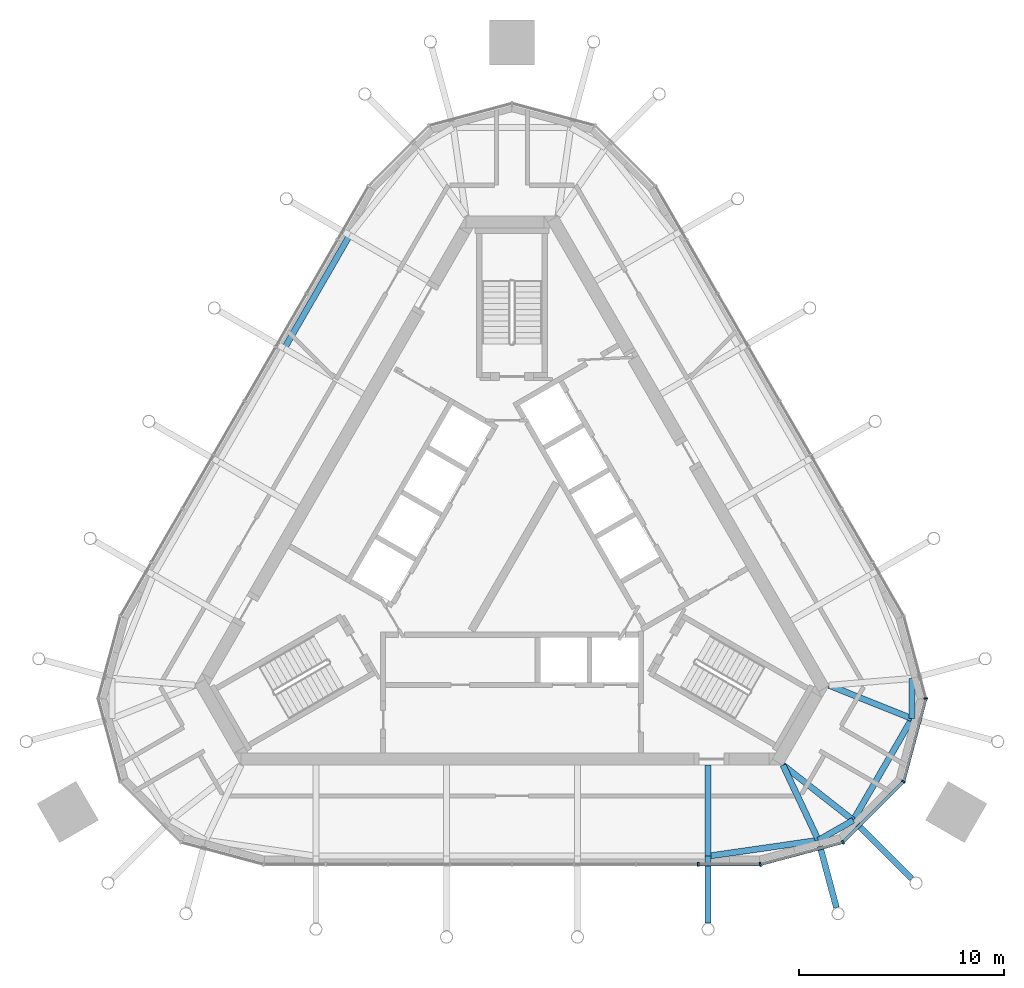
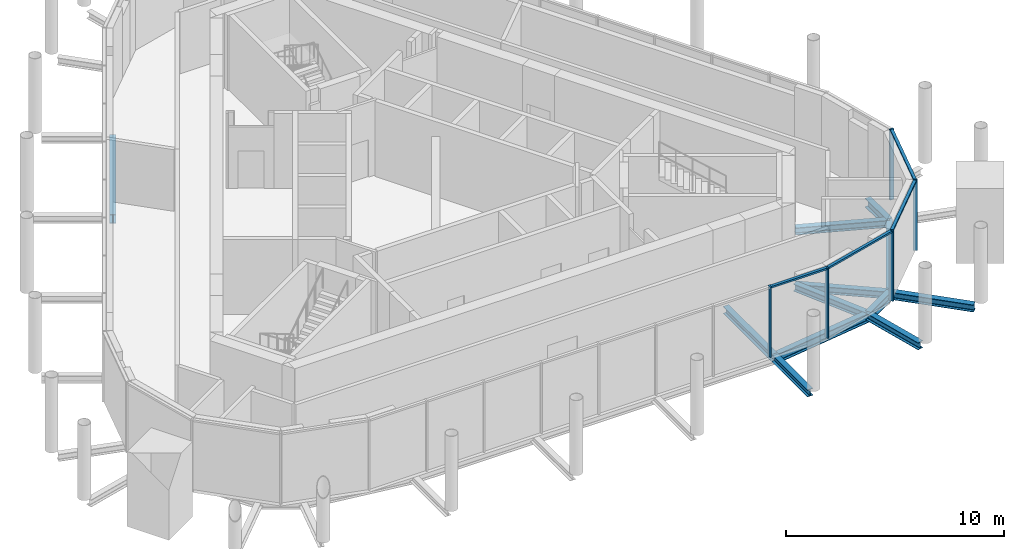
# One storey, part 3 of 11: 12 beams, 9 members, 2 elements without a shape of their own.
"""IFC4 building model written with IfcOpenShell, lengths in metres."""

from ifc_helpers import new_model, si_unit, direction, frame, origin, origin_2d, place, context, subcontext, project, spatial, rectangle, i_section, extrude, material, material_profile, profile_set, type_object, element, aggregate, save


model = new_model("IFC4")

# Units and contexts
model_context = context("Model", 3, precision=1e-05, world=origin(), true_north=direction((0.0, 1.0)))
body_context = subcontext(model_context, "Body", "Model", "MODEL_VIEW")
ifc_project = project(units=[si_unit("LENGTHUNIT", "METRE"), si_unit("AREAUNIT", "SQUARE_METRE"), si_unit("VOLUMEUNIT", "CUBIC_METRE"), si_unit("PLANEANGLEUNIT", "RADIAN"), si_unit("MASSUNIT", "GRAM", prefix="KILO")], contexts=[model_context])

# Site, building, storey
site_placement = place(None, origin())
site = spatial("IfcSite", under=ifc_project, at=site_placement, CompositionType="ELEMENT")
building_placement = place(site_placement, origin())
building = spatial("IfcBuilding", under=site, at=building_placement, Name="Mestral Congress Tower", CompositionType="ELEMENT")
storey_placement = place(building_placement, frame((0.0, 0.0, 340.199951171875)))
storey = spatial("IfcBuildingStorey", under=building, at=storey_placement, Name="L79", CompositionType="ELEMENT", Elevation=340.199951171875)

# Curtain wall, members
ifc_material_1 = material(Name="Glazed ceramic", Category="masonry")
curtain_wall_type = type_object("IfcCurtainWallType", Name="Facade plant louvre screen", PredefinedType="USERDEFINED", material=ifc_material_1)
placement = place(storey_placement, origin())
curtain_wall_1 = element("IfcCurtainWall", 1, at=placement, inside=storey, type_object=curtain_wall_type, Name="Plant louvre screen corner 1", ObjectType="CURTAIN WALL", PredefinedType="USERDEFINED")
ifc_material_2 = material(Name="Anodised aluminium", Category="aluminium")
ifc_material_profile_1 = material_profile(ifc_material_2, rectangle(XDim=0.199951171875, YDim=0.080078125, at=origin_2d()), Name="CW6 mullion 200 x 80")
ifc_profile_set_1 = profile_set([ifc_material_profile_1], Name="Anodised aluminium")
member_type_1 = type_object("IfcMemberType", Name="Facade plant louvre screen mullion", PredefinedType="MULLION", material=ifc_profile_set_1)
member_1_placement = place(storey_placement, frame((12.1376953125, -15.10009765625, 0.0), z_axis=(0.0, 0.0, 1.0), x_axis=(0.258819045103, -0.965925826289, 0.0)))
member_1 = element("IfcMember", 2, at=member_1_placement, type_object=member_type_1, Name="Facade plant louvre screen mullion", PredefinedType="MULLION", context=body_context, shape_type="SweptSolid", body=[
    extrude(rectangle(XDim=0.199951171875, YDim=0.080078125, at=origin_2d()), origin(), (0.0, 0.0, 1.0), 3.949951171875),
])
member_2_placement = place(storey_placement, frame((16.17626953125, -14.017822265625, 0.0), z_axis=(0.0, 0.0, 1.0), x_axis=(0.5, -0.866025403784, 0.0)))
member_2 = element("IfcMember", 3, at=member_2_placement, type_object=member_type_1, Name="Facade plant louvre screen mullion", PredefinedType="MULLION", context=body_context, shape_type="SweptSolid", body=[
    extrude(rectangle(XDim=0.199951171875, YDim=0.080078125, at=origin_2d()), origin(), (0.0, 0.0, 1.0), 3.949951171875),
])
member_3_placement = place(storey_placement, frame((19.142333984375, -11.0517578125, 0.0), z_axis=(0.0, 0.0, 1.0), x_axis=(0.866025403784, -0.5, 0.0)))
member_3 = element("IfcMember", 4, at=member_3_placement, type_object=member_type_1, Name="Facade plant louvre screen mullion", PredefinedType="MULLION", context=body_context, shape_type="SweptSolid", body=[
    extrude(rectangle(XDim=0.199951171875, YDim=0.080078125, at=origin_2d()), origin(), (0.0, 0.0, 1.0), 3.949951171875),
])
member_4_placement = place(storey_placement, frame((20.227783203125, -7.0, 0.0), z_axis=(0.0, 0.0, 1.0), x_axis=(1.0, 0.0, 0.0)))
member_4 = element("IfcMember", 5, at=member_4_placement, type_object=member_type_1, Name="Facade plant louvre screen mullion", PredefinedType="MULLION", context=body_context, shape_type="SweptSolid", body=[
    extrude(rectangle(XDim=0.199951171875, YDim=0.080078125, at=origin_2d()), origin(), (0.0, 0.0, 1.0), 3.949951171875),
])

# Curtain wall, member
curtain_wall_2 = element("IfcCurtainWall", 6, at=placement, inside=storey, type_object=curtain_wall_type, Name="Plant louvre screen side 6", ObjectType="CURTAIN WALL", PredefinedType="USERDEFINED")
member_5_placement = place(storey_placement, frame((9.103271484375, -15.10009765625, 0.0), z_axis=(0.0, 0.0, 1.0), x_axis=(0.0, -1.0, 0.0)))
member_5 = element("IfcMember", 7, at=member_5_placement, type_object=member_type_1, Name="Facade plant louvre screen mullion", PredefinedType="MULLION", context=body_context, shape_type="SweptSolid", body=[
    extrude(rectangle(XDim=0.199951171875, YDim=0.080078125, at=origin_2d()), origin(), (0.0, 0.0, 1.0), 3.949951171875),
])

# Member
ifc_material_profile_2 = material_profile(ifc_material_2, rectangle(XDim=0.14990234375, YDim=0.10009765625, at=origin_2d()), Name="CW6 transom 150 x 100")
ifc_profile_set_2 = profile_set([ifc_material_profile_2], Name="Anodised aluminium")
member_type_2 = type_object("IfcMemberType", Name="Facade plant louvre screen transom", PredefinedType="USERDEFINED", material=ifc_profile_set_2)
member_6_placement = place(storey_placement, frame((12.17626953125, -15.089599609375, 3.900146484375), z_axis=(0.965932905177, 0.258792624888, 0.0), x_axis=(-0.258792624888, 0.965932905177, 0.0)))
member_6 = element("IfcMember", 8, at=member_6_placement, type_object=member_type_2, Name="Facade plant louvre screen transom", ObjectType="TRANSOM", PredefinedType="USERDEFINED", context=body_context, shape_type="SweptSolid", body=[
    extrude(rectangle(XDim=0.14990234375, YDim=0.10009765625, at=origin_2d()), origin(), (0.0, 0.0, 1.0), 4.100830078125),
])

member_7_placement = place(storey_placement, frame((16.204345703125, -13.989501953125, 3.900146484375), z_axis=(0.707136447306, 0.707077113823, 0.0), x_axis=(-0.707077113823, 0.707136447306, 0.0)))
member_7 = element("IfcMember", 9, at=member_7_placement, type_object=member_type_2, Name="Facade plant louvre screen transom", ObjectType="TRANSOM", PredefinedType="USERDEFINED", context=body_context, shape_type="SweptSolid", body=[
    extrude(rectangle(XDim=0.14990234375, YDim=0.10009765625, at=origin_2d()), origin(), (0.0, 0.0, 1.0), 4.11474609375),
])

member_8_placement = place(storey_placement, frame((19.152587890625, -11.01318359375, 3.900146484375), z_axis=(0.258807262034, 0.965928983476, 0.0), x_axis=(-0.965928983476, 0.258807262034, 0.0)))
member_8 = element("IfcMember", 10, at=member_8_placement, type_object=member_type_2, Name="Facade plant louvre screen transom", ObjectType="TRANSOM", PredefinedType="USERDEFINED", context=body_context, shape_type="SweptSolid", body=[
    extrude(rectangle(XDim=0.14990234375, YDim=0.10009765625, at=origin_2d()), origin(), (0.0, 0.0, 1.0), 4.11474609375),
])

aggregate(curtain_wall_1, [member_1, member_2, member_3, member_4, member_6, member_7, member_8])

member_9_placement = place(storey_placement, frame((9.143310546875, -15.10009765625, 3.900146484375), z_axis=(1.0, 0.0, 0.0), x_axis=(0.0, 1.0, 0.0)))
member_9 = element("IfcMember", 11, at=member_9_placement, type_object=member_type_2, Name="Facade plant louvre screen transom", ObjectType="TRANSOM", PredefinedType="USERDEFINED", context=body_context, shape_type="SweptSolid", body=[
    extrude(rectangle(XDim=0.14990234375, YDim=0.10009765625, at=origin_2d()), origin(), (0.0, 0.0, 1.0), 2.954345703125),
])

aggregate(curtain_wall_2, [member_5, member_9])

# Beams
ifc_material_3 = material(Name="Steel S355", Category="steel")
ifc_material_profile_3 = material_profile(ifc_material_3, i_section(OverallWidth=0.300048828125, OverallDepth=0.39990234375, WebThickness=0.013427734375, FlangeThickness=0.02392578125, FilletRadius=0.027099609375, at=origin_2d()), Name="HEB 400")
ifc_profile_set_3 = profile_set([ifc_material_profile_3], Name="Steel S355")
beam_type_1 = type_object("IfcBeamType", Name="Floor beam HEB 400 S355", PredefinedType="BEAM", material=ifc_profile_set_3)
beam_1_placement = place(storey_placement, frame((9.587158203125, -10.25, -0.449951171875), z_axis=(0.0, -1.0, 0.0), x_axis=(1.0, 0.0, 0.0)))
element("IfcBeam", 12, at=beam_1_placement, inside=storey, type_object=beam_type_1, Name="BM-L79-KR00", PredefinedType="BEAM", context=body_context, shape_type="SweptSolid", body=[
    extrude(i_section(OverallWidth=0.300048828125, OverallDepth=0.39990234375, WebThickness=0.013427734375, FlangeThickness=0.02392578125, FilletRadius=0.027099609375, at=origin_2d()), origin(), (0.0, 0.0, 1.0), 4.449951171875),
])
for number, where, z_axis, x_axis, name in (
    (13, (15.501953125, -6.35009765625, -0.449951171875), (0.928078801871, -0.372383857757, 0.0), (0.372383857757, 0.928078801871, 0.0), "BM-L79-KR21"),
    (14, (13.250244140625, -10.25, -0.449951171875), (0.786533746493, -0.617547298292, 0.0), (0.617547298292, 0.786533746493, 0.0), "BM-L79-KR22"),
):
    element("IfcBeam", number, at=place(storey_placement, frame(where, z_axis=z_axis, x_axis=x_axis)), inside=storey, type_object=beam_type_1, Name=name, PredefinedType="BEAM", context=body_context, shape_type="SweptSolid", body=[
        extrude(i_section(OverallWidth=0.300048828125, OverallDepth=0.39990234375, WebThickness=0.013427734375, FlangeThickness=0.02392578125, FilletRadius=0.027099609375, at=origin_2d()), origin(), (0.0, 0.0, 1.0), 4.364501953125),
    ])
beam_2_placement = place(storey_placement, frame((13.250244140625, -10.25, -0.449951171875), z_axis=(0.425828884258, -0.904803714256, 0.0), x_axis=(0.904803714256, 0.425828884258, 0.0)))
element("IfcBeam", 15, at=beam_2_placement, inside=storey, type_object=beam_type_1, Name="BM-L79-KR23", PredefinedType="BEAM", context=body_context, shape_type="SweptSolid", body=[
    extrude(i_section(OverallWidth=0.300048828125, OverallDepth=0.39990234375, WebThickness=0.013427734375, FlangeThickness=0.02392578125, FilletRadius=0.027099609375, at=origin_2d()), origin(), (0.0, 0.0, 1.0), 4.060791015625),
])
beam_3_placement = place(storey_placement, frame((9.587158203125, -17.96875, -0.449951171875), z_axis=(0.0, 1.0, 0.0), x_axis=(-1.0, 0.0, 0.0)))
element("IfcBeam", 16, at=beam_3_placement, inside=storey, type_object=beam_type_1, Name="BM-L79-KT-C5-S04", PredefinedType="BEAM", context=body_context, shape_type="SweptSolid", body=[
    extrude(i_section(OverallWidth=0.300048828125, OverallDepth=0.39990234375, WebThickness=0.013427734375, FlangeThickness=0.02392578125, FilletRadius=0.027099609375, at=origin_2d()), origin(), (0.0, 0.0, 1.0), 3.268798828125),
])
beam_4_placement = place(storey_placement, frame((19.538818359375, -15.80078125, -0.449951171875), z_axis=(-0.707137007821, 0.70707655326, 0.0), x_axis=(-0.70707655326, -0.707137007821, 0.0)))
element("IfcBeam", 17, at=beam_4_placement, inside=storey, type_object=beam_type_1, Name="BM-L79-KT-C5-SE1", PredefinedType="BEAM", context=body_context, shape_type="SweptSolid", body=[
    extrude(i_section(OverallWidth=0.300048828125, OverallDepth=0.39990234375, WebThickness=0.013427734375, FlangeThickness=0.02392578125, FilletRadius=0.027099609375, at=origin_2d()), origin(), (0.0, 0.0, 1.0), 4.038330078125),
])
beam_5_placement = place(storey_placement, frame((15.86181640625, -17.21728515625, -0.449951171875), z_axis=(-0.258812449793, 0.965927593473, 0.0), x_axis=(-0.965927593473, -0.258812449793, 0.0)))
element("IfcBeam", 18, at=beam_5_placement, inside=storey, type_object=beam_type_1, Name="BM-L79-KT-C5-S05", PredefinedType="BEAM", context=body_context, shape_type="SweptSolid", body=[
    extrude(i_section(OverallWidth=0.300048828125, OverallDepth=0.39990234375, WebThickness=0.013427734375, FlangeThickness=0.02392578125, FilletRadius=0.027099609375, at=origin_2d()), origin(), (0.0, 0.0, 1.0), 3.4091796875),
])
ifc_material_profile_4 = material_profile(ifc_material_3, i_section(OverallWidth=0.300048828125, OverallDepth=0.5, WebThickness=0.014404296875, FlangeThickness=0.028076171875, FilletRadius=0.027099609375, at=origin_2d()), Name="HEB 500")
ifc_profile_set_4 = profile_set([ifc_material_profile_4], Name="Steel S355")
beam_type_2 = type_object("IfcBeamType", Name="Floor beam HEB 500 S355", PredefinedType="BEAM", material=ifc_profile_set_4)
beam_6_placement = place(storey_placement, frame((-11.130859375, 10.120849609375, -0.5), z_axis=(0.500011397576, 0.866018823291, 0.0), x_axis=(-0.866018823291, 0.500011397576, 0.0)))
element("IfcBeam", 19, at=beam_6_placement, inside=storey, type_object=beam_type_2, Name="BM-L79-KG10", PredefinedType="BEAM", context=body_context, shape_type="SweptSolid", body=[
    extrude(i_section(OverallWidth=0.300048828125, OverallDepth=0.5, WebThickness=0.014404296875, FlangeThickness=0.028076171875, FilletRadius=0.027099609375, at=origin_2d()), origin(), (0.0, 0.0, 1.0), 6.387451171875),
])
beam_7_placement = place(storey_placement, frame((19.548583984375, -6.010498046875, -0.5), z_axis=(0.001988067642, -0.999998023792, 0.0), x_axis=(0.999998023792, 0.001988067642, 0.0)))
element("IfcBeam", 20, at=beam_7_placement, inside=storey, type_object=beam_type_2, Name="BM-L79-KG20", PredefinedType="BEAM", context=body_context, shape_type="SweptSolid", body=[
    extrude(i_section(OverallWidth=0.300048828125, OverallDepth=0.5, WebThickness=0.014404296875, FlangeThickness=0.028076171875, FilletRadius=0.027099609375, at=origin_2d()), origin(), (0.0, 0.0, 1.0), 1.96484375),
])
beam_8_placement = place(storey_placement, frame((19.552490234375, -7.975341796875, -0.5), z_axis=(-0.499996189405, -0.866027603821, 0.0), x_axis=(0.866027603821, -0.499996189405, 0.0)))
element("IfcBeam", 21, at=beam_8_placement, inside=storey, type_object=beam_type_2, Name="BM-L79-KG21", PredefinedType="BEAM", context=body_context, shape_type="SweptSolid", body=[
    extrude(i_section(OverallWidth=0.300048828125, OverallDepth=0.5, WebThickness=0.014404296875, FlangeThickness=0.028076171875, FilletRadius=0.027099609375, at=origin_2d()), origin(), (0.0, 0.0, 1.0), 5.73876953125),
])
beam_9_placement = place(storey_placement, frame((16.68310546875, -12.9453125, -0.5), z_axis=(-0.86703245351, -0.498251667895, 0.0), x_axis=(0.498251667895, -0.86703245351, 0.0)))
element("IfcBeam", 22, at=beam_9_placement, inside=storey, type_object=beam_type_2, Name="BM-L79-KG22", PredefinedType="BEAM", context=body_context, shape_type="SweptSolid", body=[
    extrude(i_section(OverallWidth=0.300048828125, OverallDepth=0.5, WebThickness=0.014404296875, FlangeThickness=0.028076171875, FilletRadius=0.027099609375, at=origin_2d()), origin(), (0.0, 0.0, 1.0), 1.96484375),
])
beam_10_placement = place(storey_placement, frame((14.9794921875, -13.92431640625, -0.5), z_axis=(-0.989812798939, -0.1423749383, 0.0), x_axis=(0.1423749383, -0.989812798939, 0.0)))
element("IfcBeam", 23, at=beam_10_placement, inside=storey, type_object=beam_type_2, Name="BM-L79-KG23", PredefinedType="BEAM", context=body_context, shape_type="SweptSolid", body=[
    extrude(i_section(OverallWidth=0.300048828125, OverallDepth=0.5, WebThickness=0.014404296875, FlangeThickness=0.028076171875, FilletRadius=0.027099609375, at=origin_2d()), origin(), (0.0, 0.0, 1.0), 5.44775390625),
])

save(model, "model.ifc")
